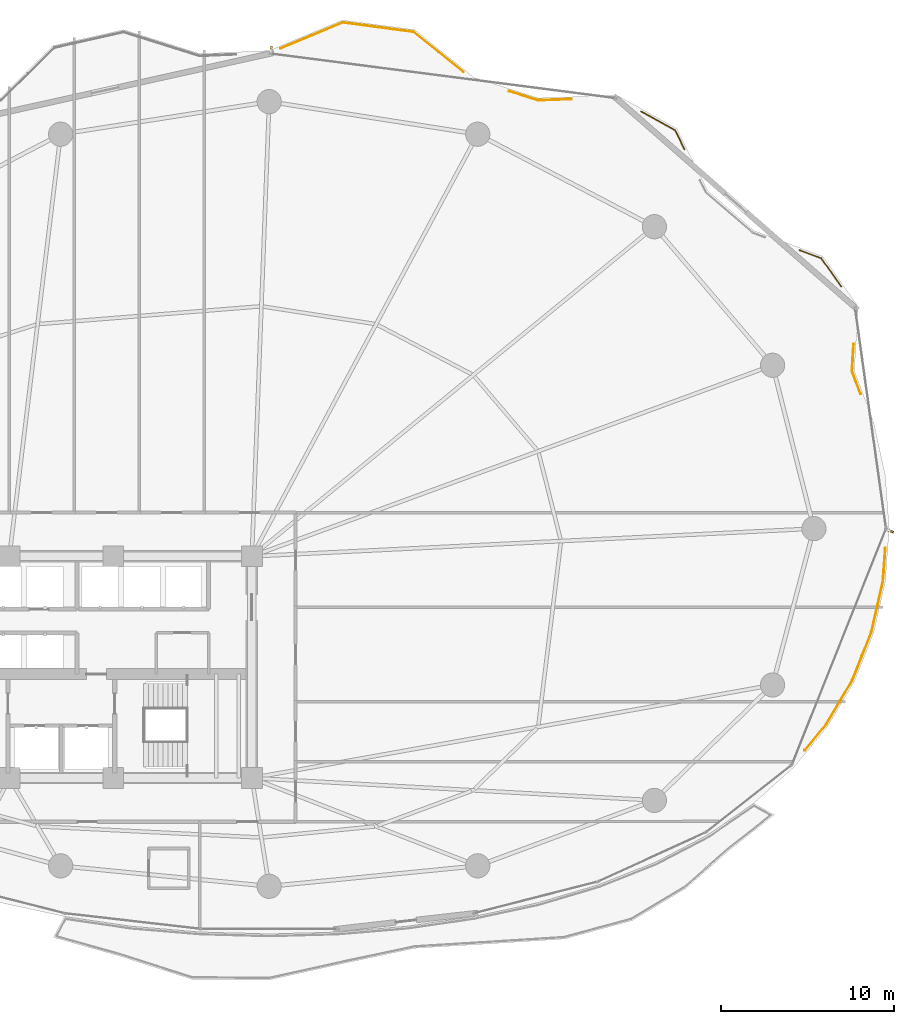
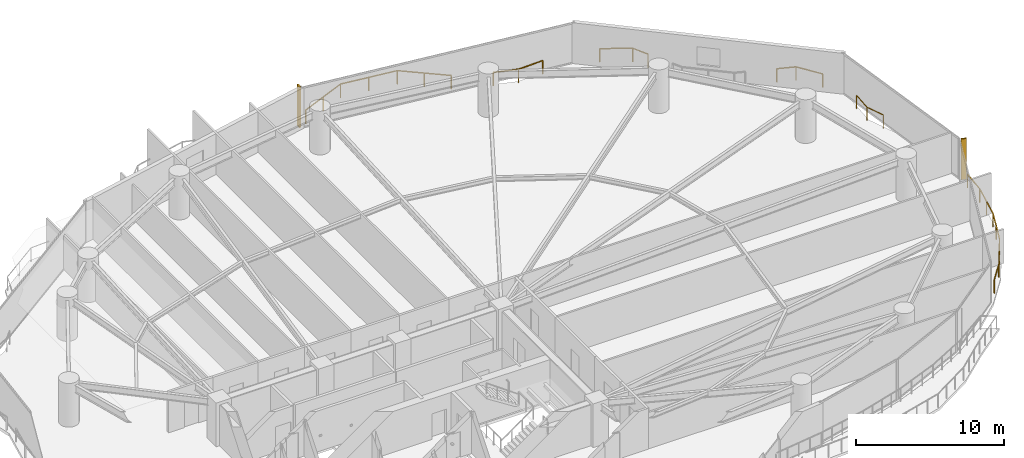
# One storey, part 31 of 31: 6 railings, 2 shading devices.
"""IFC4 building model written with IfcOpenShell, lengths in metres."""

from ifc_helpers import new_model, si_unit, direction, frame, origin, origin_2d, place, context, subcontext, project, spatial, rectangle, extrude, material, type_object, element, save


model = new_model("IFC4")

# Units and contexts
model_context = context("Model", 3, precision=1e-05, world=origin(), true_north=direction((0.0, 1.0)))
body_context = subcontext(model_context, "Body", "Model", "MODEL_VIEW")
ifc_project = project(units=[si_unit("LENGTHUNIT", "METRE"), si_unit("AREAUNIT", "SQUARE_METRE"), si_unit("VOLUMEUNIT", "CUBIC_METRE"), si_unit("PLANEANGLEUNIT", "RADIAN"), si_unit("MASSUNIT", "GRAM", prefix="KILO")], contexts=[model_context])

# Site, building, storey
site_placement = place(None, origin())
site = spatial("IfcSite", under=ifc_project, at=site_placement, CompositionType="ELEMENT")
building_placement = place(site_placement, origin())
building = spatial("IfcBuilding", under=site, at=building_placement, Name="Kazevale Care Tower and Concert Hall", CompositionType="ELEMENT")
storey_placement = place(building_placement, frame((0.0, 0.0, 56.39990234375)))
storey = spatial("IfcBuildingStorey", under=building, at=storey_placement, Name="L14", CompositionType="ELEMENT", Elevation=56.39990234375)

# Railings
ifc_material_1 = material(Name="Anodised Bronze Aluminium and Laminated Glass", Category="aluminium")
railing_type = type_object("IfcRailingType", Name="Balcony and Terrace Balustrade 1120", PredefinedType="BALUSTRADE", material=ifc_material_1)
railing_1_placement = place(storey_placement, frame((45.662109375, 65.72509765625, 0.0)))
element("IfcRailing", 1, at=railing_1_placement, inside=storey, type_object=railing_type, Name="rail:L14:perim:6", PredefinedType="BALUSTRADE", context=body_context, shape_type="SweptSolid", body=[
    extrude(rectangle(XDim=0.048095703125, YDim=0.048095703125, at=origin_2d()), frame((0.0, 0.0, 1.09619140625), z_axis=(0.922935495633, 0.384954634861, 0.0), x_axis=(-0.384954634861, 0.922935495633, 0.0)), (0.0, 0.0, 1.0), 3.88330078125),
    extrude(rectangle(XDim=0.048095703125, YDim=0.048095703125, at=origin_2d()), frame((3.583984375, 1.494873046875, 1.09619140625), z_axis=(0.991270154013, -0.131846432499, 0.0), x_axis=(0.131846432499, 0.991270154013, 0.0)), (0.0, 0.0, 1.0), 4.133056640625),
    extrude(rectangle(XDim=0.048095703125, YDim=0.048095703125, at=origin_2d()), frame((7.680908203125, 0.949951171875, 1.09619140625), z_axis=(0.778836557987, -0.627226925397, 0.0), x_axis=(0.627226925397, 0.778836557987, 0.0)), (0.0, 0.0, 1.0), 3.687744140625),
    extrude(rectangle(XDim=0.0419921875, YDim=0.0419921875, at=origin_2d()), origin(), (0.0, 0.0, 1.0), 1.072021484375),
    extrude(rectangle(XDim=0.0419921875, YDim=0.0419921875, at=origin_2d()), frame((1.7919921875, 0.74755859375, 0.0)), (0.0, 0.0, 1.0), 1.072021484375),
    extrude(rectangle(XDim=0.0419921875, YDim=0.0419921875, at=origin_2d()), frame((3.583984375, 1.494873046875, 0.0)), (0.0, 0.0, 1.0), 1.072021484375),
    extrude(rectangle(XDim=0.0419921875, YDim=0.0419921875, at=origin_2d()), frame((5.63232421875, 1.222412109375, 0.0)), (0.0, 0.0, 1.0), 1.072021484375),
    extrude(rectangle(XDim=0.0419921875, YDim=0.0419921875, at=origin_2d()), frame((7.680908203125, 0.949951171875, 0.0)), (0.0, 0.0, 1.0), 1.072021484375),
    extrude(rectangle(XDim=0.0419921875, YDim=0.0419921875, at=origin_2d()), frame((9.116943359375, -0.20654296875, 0.0)), (0.0, 0.0, 1.0), 1.072021484375),
    extrude(rectangle(XDim=0.0419921875, YDim=0.0419921875, at=origin_2d()), frame((10.552978515625, -1.363037109375, 0.0)), (0.0, 0.0, 1.0), 1.072021484375),
])
railing_2_placement = place(storey_placement, frame((58.860107421875, 63.25390625, 0.0)))
element("IfcRailing", 2, at=railing_2_placement, inside=storey, type_object=railing_type, Name="rail:L14:perim:7", PredefinedType="BALUSTRADE", context=body_context, shape_type="SweptSolid", body=[
    extrude(rectangle(XDim=0.048095703125, YDim=0.048095703125, at=origin_2d()), frame((0.0, 0.0, 1.09619140625), z_axis=(0.952655744415, -0.304051036231, 0.0), x_axis=(0.304051036231, 0.952655744415, 0.0)), (0.0, 0.0, 1.0), 1.736083984375),
    extrude(rectangle(XDim=0.048095703125, YDim=0.048095703125, at=origin_2d()), frame((1.65380859375, -0.52783203125, 1.09619140625), z_axis=(0.999433903687, 0.033643307818, 0.0), x_axis=(-0.033643307818, 0.999433903687, 0.0)), (0.0, 0.0, 1.0), 1.93017578125),
    extrude(rectangle(XDim=0.0419921875, YDim=0.0419921875, at=origin_2d()), origin(), (0.0, 0.0, 1.0), 1.072021484375),
    extrude(rectangle(XDim=0.0419921875, YDim=0.0419921875, at=origin_2d()), frame((1.65380859375, -0.52783203125, 0.0)), (0.0, 0.0, 1.0), 1.072021484375),
    extrude(rectangle(XDim=0.0419921875, YDim=0.0419921875, at=origin_2d()), frame((3.5830078125, -0.462890625, 0.0)), (0.0, 0.0, 1.0), 1.072021484375),
])
railing_3_placement = place(storey_placement, frame((66.472900390625, 62.089111328125, 0.0)))
element("IfcRailing", 3, at=railing_3_placement, inside=storey, type_object=railing_type, Name="rail:L14:perim:8", PredefinedType="BALUSTRADE", context=body_context, shape_type="SweptSolid", body=[
    extrude(rectangle(XDim=0.048095703125, YDim=0.048095703125, at=origin_2d()), frame((0.0, 0.0, 1.09619140625), z_axis=(0.874275517838, -0.485430035029, 0.0), x_axis=(0.485430035029, 0.874275517838, 0.0)), (0.0, 0.0, 1.0), 2.239501953125),
    extrude(rectangle(XDim=0.048095703125, YDim=0.048095703125, at=origin_2d()), frame((1.9580078125, -1.087158203125, 1.09619140625), z_axis=(0.444046102308, -0.896003939179, 0.0), x_axis=(0.896003939179, 0.444046102308, 0.0)), (0.0, 0.0, 1.0), 1.234375),
    extrude(rectangle(XDim=0.0419921875, YDim=0.0419921875, at=origin_2d()), origin(), (0.0, 0.0, 1.0), 1.072021484375),
    extrude(rectangle(XDim=0.0419921875, YDim=0.0419921875, at=origin_2d()), frame((1.9580078125, -1.087158203125, 0.0)), (0.0, 0.0, 1.0), 1.072021484375),
    extrude(rectangle(XDim=0.0419921875, YDim=0.0419921875, at=origin_2d()), frame((2.506103515625, -2.193115234375, 0.0)), (0.0, 0.0, 1.0), 1.072021484375),
])
railing_4_placement = place(storey_placement, frame((75.635009765625, 54.069091796875, 0.0)))
element("IfcRailing", 4, at=railing_4_placement, inside=storey, type_object=railing_type, Name="rail:L14:perim:10", PredefinedType="BALUSTRADE", context=body_context, shape_type="SweptSolid", body=[
    extrude(rectangle(XDim=0.048095703125, YDim=0.048095703125, at=origin_2d()), frame((0.0, 0.0, 1.09619140625), z_axis=(0.936458028314, -0.35077964765, 0.0), x_axis=(0.35077964765, 0.936458028314, 0.0)), (0.0, 0.0, 1.0), 1.322998046875),
    extrude(rectangle(XDim=0.048095703125, YDim=0.048095703125, at=origin_2d()), frame((1.239013671875, -0.464111328125, 1.09619140625), z_axis=(0.576750616528, -0.816920269264, 0.0), x_axis=(0.816920269264, 0.576750616528, 0.0)), (0.0, 0.0, 1.0), 1.990478515625),
    extrude(rectangle(XDim=0.0419921875, YDim=0.0419921875, at=origin_2d()), origin(), (0.0, 0.0, 1.0), 1.072021484375),
    extrude(rectangle(XDim=0.0419921875, YDim=0.0419921875, at=origin_2d()), frame((1.239013671875, -0.464111328125, 0.0)), (0.0, 0.0, 1.0), 1.072021484375),
    extrude(rectangle(XDim=0.0419921875, YDim=0.0419921875, at=origin_2d()), frame((2.386962890625, -2.090087890625, 0.0)), (0.0, 0.0, 1.0), 1.072021484375),
])
railing_5_placement = place(storey_placement, frame((80.575927734375, 36.864990234375, 0.0)))
element("IfcRailing", 5, at=railing_5_placement, inside=storey, type_object=railing_type, Name="rail:L14:perim:11", PredefinedType="BALUSTRADE", context=body_context, shape_type="SweptSolid", body=[
    extrude(rectangle(XDim=0.048095703125, YDim=0.048095703125, at=origin_2d()), frame((0.0, 0.0, 1.09619140625), z_axis=(-0.072929321708, -0.99733711153, 0.0), x_axis=(0.99733711153, -0.072929321708, 0.0)), (0.0, 0.0, 1.0), 1.918212890625),
    extrude(rectangle(XDim=0.048095703125, YDim=0.048095703125, at=origin_2d()), frame((-0.139892578125, -1.9130859375, 1.09619140625), z_axis=(-0.22169815306, -0.975115341347, 0.0), x_axis=(0.975115341347, -0.22169815306, 0.0)), (0.0, 0.0, 1.0), 3.012939453125),
    extrude(rectangle(XDim=0.048095703125, YDim=0.048095703125, at=origin_2d()), frame((-0.807861328125, -4.85107421875, 1.09619140625), z_axis=(-0.369500413357, -0.92923056586, 0.0), x_axis=(0.92923056586, -0.369500413357, 0.0)), (0.0, 0.0, 1.0), 2.985107421875),
    extrude(rectangle(XDim=0.048095703125, YDim=0.048095703125, at=origin_2d()), frame((-1.910888671875, -7.625, 1.09619140625), z_axis=(-0.510655847211, -0.859785209055, 0.0), x_axis=(0.859785209055, -0.510655847211, 0.0)), (0.0, 0.0, 1.0), 2.986572265625),
    extrude(rectangle(XDim=0.048095703125, YDim=0.048095703125, at=origin_2d()), frame((-3.43603515625, -10.19287109375, 1.09619140625), z_axis=(-0.636478085384, -0.771294785945, 0.0), x_axis=(0.771294785945, -0.636478085384, 0.0)), (0.0, 0.0, 1.0), 1.90869140625),
    extrude(rectangle(XDim=0.0419921875, YDim=0.0419921875, at=origin_2d()), origin(), (0.0, 0.0, 1.0), 1.072021484375),
    extrude(rectangle(XDim=0.0419921875, YDim=0.0419921875, at=origin_2d()), frame((-0.139892578125, -1.9130859375, 0.0)), (0.0, 0.0, 1.0), 1.072021484375),
    extrude(rectangle(XDim=0.0419921875, YDim=0.0419921875, at=origin_2d()), frame((-0.473876953125, -3.382080078125, 0.0)), (0.0, 0.0, 1.0), 1.072021484375),
    extrude(rectangle(XDim=0.0419921875, YDim=0.0419921875, at=origin_2d()), frame((-0.807861328125, -4.85107421875, 0.0)), (0.0, 0.0, 1.0), 1.072021484375),
    extrude(rectangle(XDim=0.0419921875, YDim=0.0419921875, at=origin_2d()), frame((-1.359375, -6.238037109375, 0.0)), (0.0, 0.0, 1.0), 1.072021484375),
    extrude(rectangle(XDim=0.0419921875, YDim=0.0419921875, at=origin_2d()), frame((-1.910888671875, -7.625, 0.0)), (0.0, 0.0, 1.0), 1.072021484375),
    extrude(rectangle(XDim=0.0419921875, YDim=0.0419921875, at=origin_2d()), frame((-2.67333984375, -8.908935546875, 0.0)), (0.0, 0.0, 1.0), 1.072021484375),
    extrude(rectangle(XDim=0.0419921875, YDim=0.0419921875, at=origin_2d()), frame((-3.43603515625, -10.19287109375, 0.0)), (0.0, 0.0, 1.0), 1.072021484375),
    extrude(rectangle(XDim=0.0419921875, YDim=0.0419921875, at=origin_2d()), frame((-4.65087890625, -11.6650390625, 0.0)), (0.0, 0.0, 1.0), 1.072021484375),
])
railing_6_placement = place(storey_placement, frame((78.741943359375, 48.64794921875, 0.0)))
element("IfcRailing", 6, at=railing_6_placement, inside=storey, type_object=railing_type, Name="rail:L14:perim:12", PredefinedType="BALUSTRADE", context=body_context, shape_type="SweptSolid", body=[
    extrude(rectangle(XDim=0.048095703125, YDim=0.048095703125, at=origin_2d()), frame((0.0, 0.0, 1.09619140625), z_axis=(-0.059751650803, -0.998213273918, 0.0), x_axis=(0.998213273918, -0.059751650803, 0.0)), (0.0, 0.0, 1.0), 1.556640625),
    extrude(rectangle(XDim=0.048095703125, YDim=0.048095703125, at=origin_2d()), frame((-0.093017578125, -1.553955078125, 1.09619140625), z_axis=(0.350671286185, -0.936498611342, 0.0), x_axis=(0.936498611342, 0.350671286185, 0.0)), (0.0, 0.0, 1.0), 1.420166015625),
    extrude(rectangle(XDim=0.0419921875, YDim=0.0419921875, at=origin_2d()), origin(), (0.0, 0.0, 1.0), 1.072021484375),
    extrude(rectangle(XDim=0.0419921875, YDim=0.0419921875, at=origin_2d()), frame((-0.093017578125, -1.553955078125, 0.0)), (0.0, 0.0, 1.0), 1.072021484375),
    extrude(rectangle(XDim=0.0419921875, YDim=0.0419921875, at=origin_2d()), frame((0.405029296875, -2.884033203125, 0.0)), (0.0, 0.0, 1.0), 1.072021484375),
])

# Shading devices
ifc_material_2 = material(Name="Honed Ochre Limestone", Category="masonry")
shading_device_type = type_object("IfcShadingDeviceType", Name="Vertical Honed Limestone Fin FIN-01", PredefinedType="USERDEFINED", material=ifc_material_2)
for number, where, z_axis, x_axis, name in (
    (7, (80.861572265625, 37.860595703125, 0.0), (0.0, 0.0, 1.0), (0.928874213199, -0.370395324019, 0.0), "cw:L14:f01:fin"),
    (8, (45.110595703125, 65.676025390625, 0.0), (0.0, 0.0, 1.0), (0.128103248172, 0.991760837, 0.0), "cw:L14:f16:fin"),
):
    element("IfcShadingDevice", number, at=place(storey_placement, frame(where, z_axis=z_axis, x_axis=x_axis)), inside=storey, type_object=shading_device_type, Name=name, ObjectType="FIN", PredefinedType="USERDEFINED", context=body_context, shape_type="SweptSolid", body=[
        extrude(rectangle(XDim=0.3798828125, YDim=0.1201171875, at=origin_2d()), origin(), (0.0, 0.0, 1.0), 3.360107421875),
    ])

save(model, "model.ifc")
